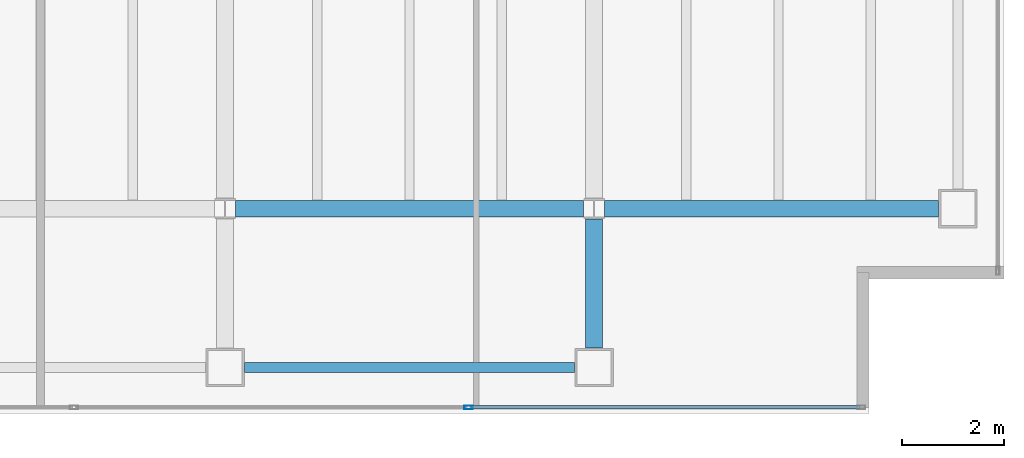
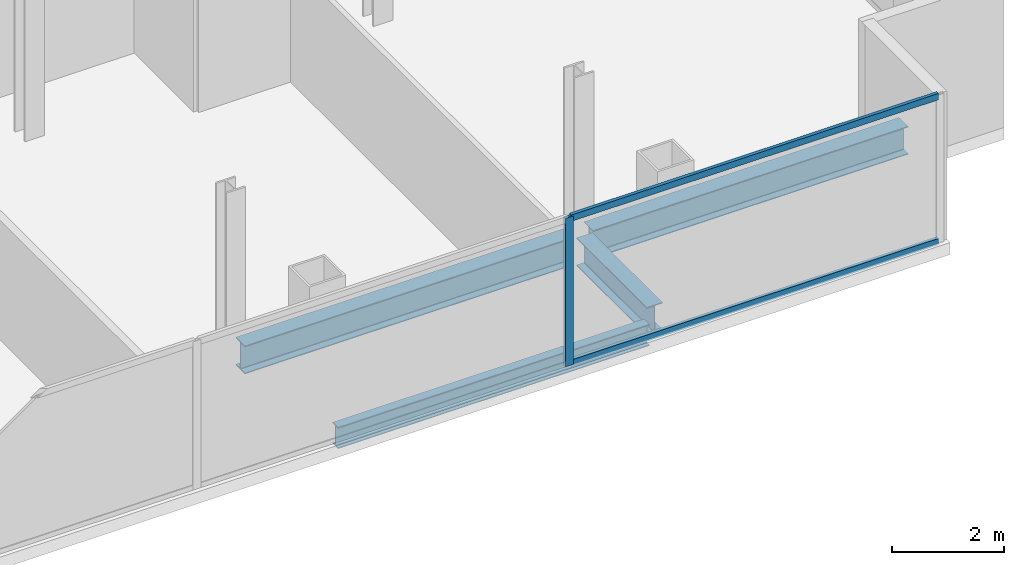
# One storey, part 10 of 23: 4 beams, 3 members, 1 element without a shape of its own.
"""IFC4 building model written with IfcOpenShell, lengths in metres."""

from ifc_helpers import new_model, si_unit, direction, frame, origin, origin_2d, place, context, subcontext, project, spatial, hollow_rectangle, i_section, extrude, material, material_profile, profile_set, type_object, element, aggregate, save


model = new_model("IFC4")

# Units and contexts
model_context = context("Model", 3, precision=1e-05, world=origin(), true_north=direction((0.0, 1.0)))
body_context = subcontext(model_context, "Body", "Model", "MODEL_VIEW")
ifc_project = project(units=[si_unit("LENGTHUNIT", "METRE"), si_unit("AREAUNIT", "SQUARE_METRE"), si_unit("VOLUMEUNIT", "CUBIC_METRE"), si_unit("PLANEANGLEUNIT", "RADIAN"), si_unit("MASSUNIT", "GRAM", prefix="KILO")], contexts=[model_context])

# Site, building, storey
site_placement = place(None, origin())
site = spatial("IfcSite", under=ifc_project, at=site_placement, CompositionType="ELEMENT")
building_placement = place(site_placement, origin())
building = spatial("IfcBuilding", under=site, at=building_placement, Name="Cobrela Telecom Tower", CompositionType="ELEMENT")
storey_placement = place(building_placement, frame((0.0, 0.0, 211.75)))
storey = spatial("IfcBuildingStorey", under=building, at=storey_placement, Name="L54", CompositionType="ELEMENT", Elevation=211.75)

# Beams
ifc_material_1 = material(Name="Steel ASTM A992 Grade 50", Category="steel")
ifc_material_profile_1 = material_profile(ifc_material_1, i_section(OverallWidth=0.324951171875, OverallDepth=0.612060546875, WebThickness=0.0126953125, FlangeThickness=0.01904296875, FilletRadius=0.014892578125, at=origin_2d()), Name="W24X104")
ifc_profile_set_1 = profile_set([ifc_material_profile_1], Name="Steel ASTM A992 Grade 50")
beam_type_1 = type_object("IfcBeamType", Name="BM-GIRD-07", PredefinedType="USERDEFINED", material=ifc_profile_set_1)
beam_1_placement = place(storey_placement, frame((29.00439453125, 7.199951171875, -0.56591796875), z_axis=(1.0, 0.0, 0.0), x_axis=(0.0, 1.0, 0.0)))
element("IfcBeam", 1, at=beam_1_placement, inside=storey, type_object=beam_type_1, Name="L54 Primary Girder X09", ObjectType="GIRDER", PredefinedType="USERDEFINED", context=body_context, shape_type="SweptSolid", body=[
    extrude(i_section(OverallWidth=0.324951171875, OverallDepth=0.612060546875, WebThickness=0.0126953125, FlangeThickness=0.01904296875, FilletRadius=0.014892578125, at=origin_2d()), origin(), (0.0, 0.0, 1.0), 6.791015625),
])
beam_2_placement = place(storey_placement, frame((36.20458984375, 7.199951171875, -0.56591796875), z_axis=(1.0, 0.0, 0.0), x_axis=(0.0, 1.0, 0.0)))
element("IfcBeam", 2, at=beam_2_placement, inside=storey, type_object=beam_type_1, Name="L54 Primary Girder X10", ObjectType="GIRDER", PredefinedType="USERDEFINED", context=body_context, shape_type="SweptSolid", body=[
    extrude(i_section(OverallWidth=0.324951171875, OverallDepth=0.612060546875, WebThickness=0.0126953125, FlangeThickness=0.01904296875, FilletRadius=0.014892578125, at=origin_2d()), origin(), (0.0, 0.0, 1.0), 6.515380859375),
])
beam_3_placement = place(storey_placement, frame((36.0, 4.47998046875, -0.56591796875), z_axis=(0.0, 1.0, 0.0), x_axis=(-1.0, 0.0, 0.0)))
element("IfcBeam", 3, at=beam_3_placement, inside=storey, type_object=beam_type_1, Name="L54 Primary Girder Y39", ObjectType="GIRDER", PredefinedType="USERDEFINED", context=body_context, shape_type="SweptSolid", body=[
    extrude(i_section(OverallWidth=0.324951171875, OverallDepth=0.612060546875, WebThickness=0.0126953125, FlangeThickness=0.01904296875, FilletRadius=0.014892578125, at=origin_2d()), origin(), (0.0, 0.0, 1.0), 2.515625),
])
ifc_material_profile_2 = material_profile(ifc_material_1, i_section(OverallWidth=0.193115234375, OverallDepth=0.467041015625, WebThickness=0.011474609375, FlangeThickness=0.01904296875, FilletRadius=0.012939453125, at=origin_2d()), Name="W18X65")
ifc_profile_set_2 = profile_set([ifc_material_profile_2], Name="Steel ASTM A992 Grade 50")
beam_type_2 = type_object("IfcBeamType", Name="BM-SPAND-05", PredefinedType="SPANDREL", material=ifc_profile_set_2)
beam_4_placement = place(storey_placement, frame((29.179931640625, 4.10009765625, -0.493408203125), z_axis=(1.0, 0.0, 0.0), x_axis=(0.0, 1.0, 0.0)))
element("IfcBeam", 4, at=beam_4_placement, inside=storey, type_object=beam_type_2, Name="L54 Perimeter Spandrel X04", PredefinedType="SPANDREL", context=body_context, shape_type="SweptSolid", body=[
    extrude(i_section(OverallWidth=0.193115234375, OverallDepth=0.467041015625, WebThickness=0.011474609375, FlangeThickness=0.01904296875, FilletRadius=0.012939453125, at=origin_2d()), origin(), (0.0, 0.0, 1.0), 6.440185546875),
])

# Curtain wall, members
ifc_material_2 = material(Name="Anodized Bronze Aluminium 6063-T6", Category="aluminium")
curtain_wall_type = type_object("IfcCurtainWallType", Name="CW-SYS-OFF-LO", PredefinedType="USERDEFINED", material=ifc_material_2)
curtain_wall_placement = place(storey_placement, origin())
curtain_wall = element("IfcCurtainWall", 5, at=curtain_wall_placement, inside=storey, type_object=curtain_wall_type, Name="L54 Unitised Bronze Curtain Wall 17", ObjectType="UNITISED CURTAIN WALL", PredefinedType="USERDEFINED")
ifc_material_profile_3 = material_profile(ifc_material_2, hollow_rectangle(XDim=0.070068359375, YDim=0.159912109375, WallThickness=0.00390625, at=origin_2d()), Name="ALU 70x160x4")
ifc_profile_set_3 = profile_set([ifc_material_profile_3], Name="Anodized Bronze Aluminium 6063-T6")
member_type_1 = type_object("IfcMemberType", Name="CW-SYS-OFF-LO-MUL", PredefinedType="MULLION", material=ifc_profile_set_3)
member_1_placement = place(storey_placement, frame((33.550048828125, 3.320068359375, 0.0), z_axis=(0.0, 0.0, 1.0), x_axis=(0.0, -1.0, 0.0)))
member_1 = element("IfcMember", 6, at=member_1_placement, type_object=member_type_1, Name="CW-OFF-LO mullion 2", PredefinedType="MULLION", context=body_context, shape_type="SweptSolid", body=[
    extrude(hollow_rectangle(XDim=0.070068359375, YDim=0.159912109375, WallThickness=0.00390625, at=origin_2d()), origin(), (0.0, 0.0, 1.0), 3.239990234375),
])
ifc_material_profile_4 = material_profile(ifc_material_2, hollow_rectangle(XDim=0.070068359375, YDim=0.139892578125, WallThickness=0.00390625, at=origin_2d()), Name="ALU 70x140x4")
ifc_profile_set_4 = profile_set([ifc_material_profile_4], Name="Anodized Bronze Aluminium 6063-T6")
member_type_2 = type_object("IfcMemberType", Name="CW-SYS-OFF-LO-TRN", PredefinedType="USERDEFINED", material=ifc_profile_set_4)
member_2_placement = place(storey_placement, frame((41.179931640625, 3.320068359375, 0.034912109375), z_axis=(-1.0, 0.0, 0.0), x_axis=(0.0, -1.0, 0.0)))
member_2 = element("IfcMember", 7, at=member_2_placement, type_object=member_type_2, Name="CW-OFF-LO transom 1.1", ObjectType="TRANSOM", PredefinedType="USERDEFINED", context=body_context, shape_type="SweptSolid", body=[
    extrude(hollow_rectangle(XDim=0.070068359375, YDim=0.139892578125, WallThickness=0.00390625, at=origin_2d()), origin(), (0.0, 0.0, 1.0), 7.594970703125),
])
member_3_placement = place(storey_placement, frame((41.179931640625, 3.320068359375, 3.205078125), z_axis=(-1.0, 0.0, 0.0), x_axis=(0.0, -1.0, 0.0)))
member_3 = element("IfcMember", 8, at=member_3_placement, type_object=member_type_2, Name="CW-OFF-LO transom 1.2", ObjectType="TRANSOM", PredefinedType="USERDEFINED", context=body_context, shape_type="SweptSolid", body=[
    extrude(hollow_rectangle(XDim=0.070068359375, YDim=0.139892578125, WallThickness=0.00390625, at=origin_2d()), origin(), (0.0, 0.0, 1.0), 7.594970703125),
])
aggregate(curtain_wall, [member_1, member_2, member_3])

save(model, "model.ifc")
